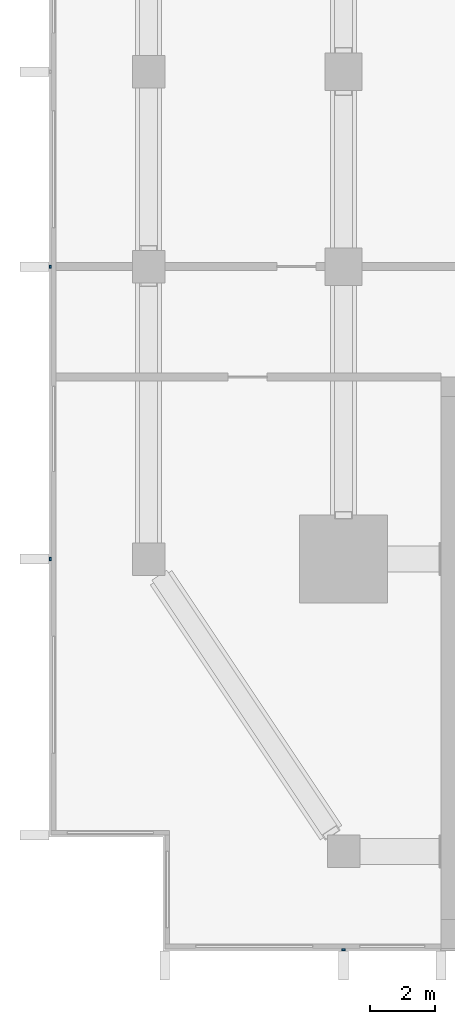
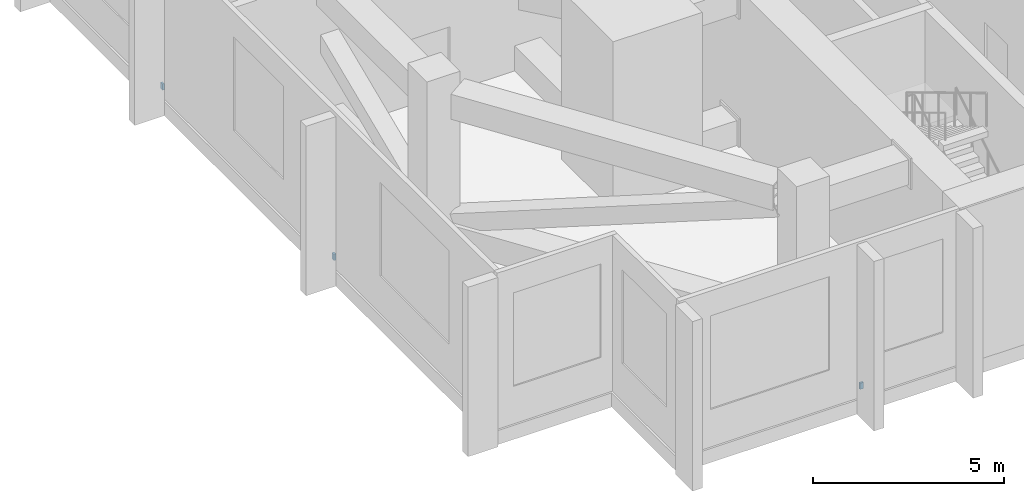
# One storey, part 6 of 12: 3 discrete accessories.
"""IFC4 building model written with IfcOpenShell, lengths in metres."""

from ifc_helpers import new_model, si_unit, direction, frame, origin, origin_2d, place, context, subcontext, project, spatial, rectangle, extrude, material, type_object, element, save


model = new_model("IFC4")

# Units and contexts
model_context = context("Model", 3, precision=1e-05, world=origin(), true_north=direction((0.0, 1.0)))
body_context = subcontext(model_context, "Body", "Model", "MODEL_VIEW")
ifc_project = project(units=[si_unit("LENGTHUNIT", "METRE"), si_unit("AREAUNIT", "SQUARE_METRE"), si_unit("VOLUMEUNIT", "CUBIC_METRE"), si_unit("PLANEANGLEUNIT", "RADIAN"), si_unit("MASSUNIT", "GRAM", prefix="KILO")], contexts=[model_context])

# Site, building, storey
site_placement = place(None, origin())
site = spatial("IfcSite", under=ifc_project, at=site_placement, CompositionType="ELEMENT")
building_placement = place(site_placement, origin())
building = spatial("IfcBuilding", under=site, at=building_placement, Name="Finial Court Residences", CompositionType="ELEMENT")
storey_placement = place(building_placement, frame((0.0, 0.0, 143.89990234375)))
storey = spatial("IfcBuildingStorey", under=building, at=storey_placement, Name="L35", CompositionType="ELEMENT", Elevation=143.89990234375)

# Discrete accessories
ifc_material = material(Name="Stainless steel 316", Category="steel")
discrete_accessory_type = type_object("IfcDiscreteAccessoryType", Name="Fin bracket, stainless steel 100 x 60 x 200", PredefinedType="BRACKET", material=ifc_material)
discrete_accessory_placement = place(storey_placement, frame((-16.5, -25.530029296875, 0.30029296875), z_axis=(0.0, 0.0, 1.0), x_axis=(1.0, 0.0, 0.0)))
element("IfcDiscreteAccessory", 1, at=discrete_accessory_placement, inside=storey, type_object=discrete_accessory_type, Name="E-L35-FIN-S17-BRK", PredefinedType="BRACKET", context=body_context, shape_type="SweptSolid", body=[
    extrude(rectangle(XDim=0.10009765625, YDim=0.06005859375, at=origin_2d()), origin(), (0.0, 0.0, 1.0), 0.199951171875),
])
for number, where, z_axis, x_axis, name in (
    (2, (-25.530029296875, -13.5, 0.30029296875), (0.0, 0.0, 1.0), (1.0, 0.0, 0.0), "E-L35-FIN-W27-BRK"),
    (3, (-25.530029296875, -4.5, 0.30029296875), (0.0, 0.0, 1.0), (1.0, 0.0, 0.0), "E-L35-FIN-W28-BRK"),
):
    element("IfcDiscreteAccessory", number, at=place(storey_placement, frame(where, z_axis=z_axis, x_axis=x_axis)), inside=storey, type_object=discrete_accessory_type, Name=name, PredefinedType="BRACKET", context=body_context, shape_type="SweptSolid", body=[
        extrude(rectangle(XDim=0.06005859375, YDim=0.10009765625, at=origin_2d()), origin(), (0.0, 0.0, 1.0), 0.199951171875),
    ])

save(model, "model.ifc")
